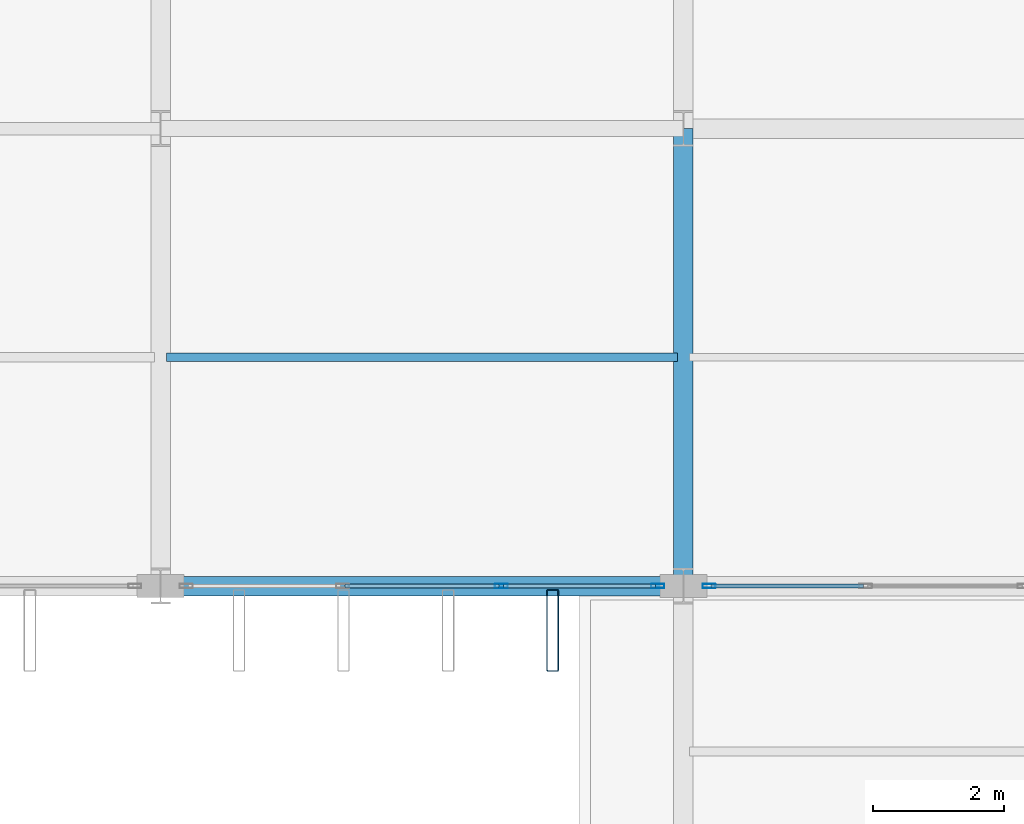
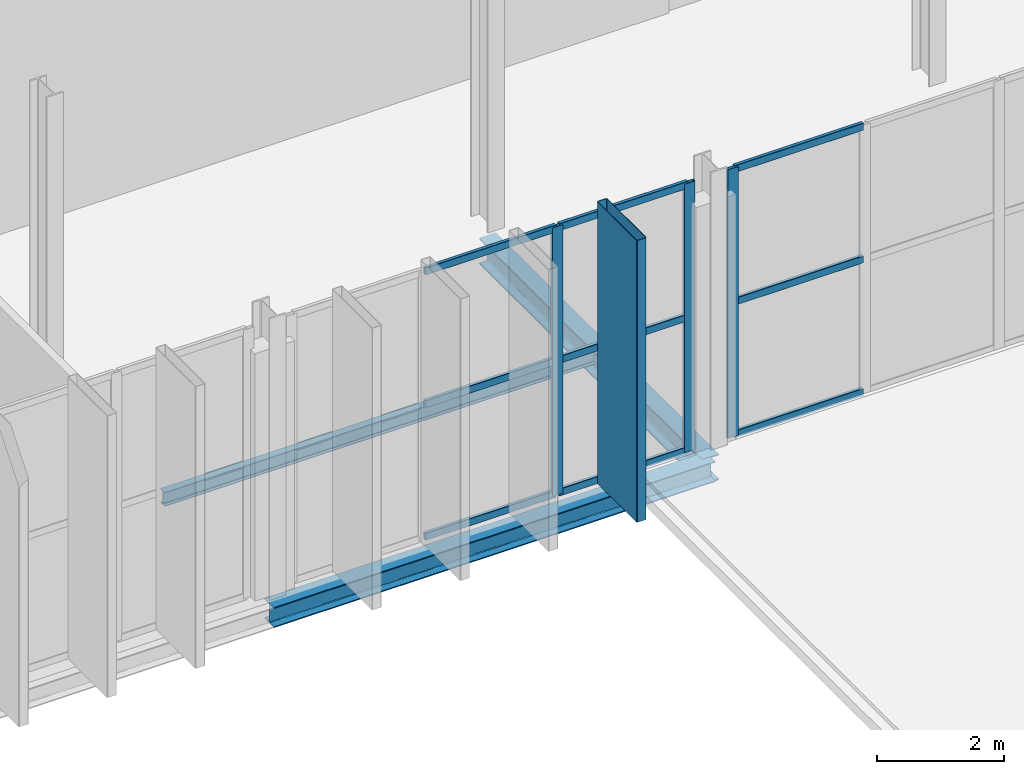
# One storey, part 38 of 147: 13 members, 3 beams, 2 elements without a shape of their own.
"""IFC4 building model written with IfcOpenShell, lengths in metres."""

from ifc_helpers import new_model, si_unit, direction, frame, origin, origin_2d, place, context, subcontext, project, spatial, hollow_rectangle, i_section, extrude, material, layer, layer_set, material_profile, profile_set, type_object, element, aggregate, save


model = new_model("IFC4")

# Units and contexts
model_context = context("Model", 3, precision=1e-05, world=origin(), true_north=direction((0.0, 1.0)))
body_context = subcontext(model_context, "Body", "Model", "MODEL_VIEW")
ifc_project = project(units=[si_unit("LENGTHUNIT", "METRE"), si_unit("AREAUNIT", "SQUARE_METRE"), si_unit("VOLUMEUNIT", "CUBIC_METRE"), si_unit("PLANEANGLEUNIT", "RADIAN"), si_unit("MASSUNIT", "GRAM", prefix="KILO")], contexts=[model_context])

# Site, building, storey
site_placement = place(None, origin())
site = spatial("IfcSite", under=ifc_project, at=site_placement, CompositionType="ELEMENT")
building_placement = place(site_placement, origin())
building = spatial("IfcBuilding", under=site, at=building_placement, Name="Vekula Escarpment Museum", CompositionType="ELEMENT")
storey_placement = place(building_placement, frame((0.0, 0.0, 7.800048828125)))
storey = spatial("IfcBuildingStorey", under=building, at=storey_placement, Name="L02", CompositionType="ELEMENT", Elevation=7.800048828125)

# Beams
ifc_material_1 = material(Name="Steel S355", Category="steel")
ifc_material_profile_1 = material_profile(ifc_material_1, i_section(OverallWidth=0.300048828125, OverallDepth=0.5, WebThickness=0.014404296875, FlangeThickness=0.028076171875, FilletRadius=0.027099609375, at=origin_2d()), Name="HEB 500")
ifc_profile_set_1 = profile_set([ifc_material_profile_1], Name="Steel S355")
beam_type_1 = type_object("IfcBeamType", Name="BM-GIRD-HEB500", PredefinedType="BEAM", material=ifc_profile_set_1)
beam_1_placement = place(storey_placement, frame((94.0, 45.60009765625, -0.510009765625), z_axis=(0.0, 1.0, 0.0), x_axis=(-1.0, 0.0, 0.0)))
element("IfcBeam", 1, at=beam_1_placement, inside=storey, type_object=beam_type_1, Name="Beam Y L02 1158", PredefinedType="BEAM", context=body_context, shape_type="SweptSolid", body=[
    extrude(i_section(OverallWidth=0.300048828125, OverallDepth=0.5, WebThickness=0.014404296875, FlangeThickness=0.028076171875, FilletRadius=0.027099609375, at=origin_2d()), origin(), (0.0, 0.0, 1.0), 7.0),
])
ifc_material_2 = material(Name="Steel S355", Category="steel")
ifc_material_profile_2 = material_profile(ifc_material_2, i_section(OverallWidth=0.135009765625, OverallDepth=0.27001953125, WebThickness=0.006591796875, FlangeThickness=0.01025390625, FilletRadius=0.014892578125, at=origin_2d()), Name="IPE 270")
ifc_profile_set_2 = profile_set([ifc_material_profile_2], Name="Steel S355")
beam_type_2 = type_object("IfcBeamType", Name="BM-JST-IPE270", PredefinedType="JOIST", material=ifc_profile_set_2)
beam_2_placement = place(storey_placement, frame((86.090087890625, 49.10009765625, -0.39501953125), z_axis=(1.0, 0.0, 0.0), x_axis=(0.0, 1.0, 0.0)))
element("IfcBeam", 2, at=beam_2_placement, inside=storey, type_object=beam_type_2, Name="Secondary Joist L02 0757", PredefinedType="JOIST", context=body_context, shape_type="SweptSolid", body=[
    extrude(i_section(OverallWidth=0.135009765625, OverallDepth=0.27001953125, WebThickness=0.006591796875, FlangeThickness=0.01025390625, FilletRadius=0.014892578125, at=origin_2d()), origin(), (0.0, 0.0, 1.0), 7.81982421875),
])
ifc_material_3 = material(Name="Steel S355", Category="steel")
ifc_material_profile_3 = material_profile(ifc_material_3, i_section(OverallWidth=0.300048828125, OverallDepth=0.389892578125, WebThickness=0.010986328125, FlangeThickness=0.01904296875, FilletRadius=0.027099609375, at=origin_2d()), Name="HEA 400")
ifc_profile_set_3 = profile_set([ifc_material_profile_3], Name="Steel S355")
beam_type_3 = type_object("IfcBeamType", Name="BM-SPAN-HEA400", PredefinedType="SPANDREL", material=ifc_profile_set_3)
beam_3_placement = place(storey_placement, frame((86.0, 45.60009765625, -0.455078125), z_axis=(1.0, 0.0, 0.0), x_axis=(0.0, 1.0, 0.0)))
element("IfcBeam", 3, at=beam_3_placement, inside=storey, type_object=beam_type_3, Name="Beam X L02 0846", PredefinedType="SPANDREL", context=body_context, shape_type="SweptSolid", body=[
    extrude(i_section(OverallWidth=0.300048828125, OverallDepth=0.389892578125, WebThickness=0.010986328125, FlangeThickness=0.01904296875, FilletRadius=0.027099609375, at=origin_2d()), origin(), (0.0, 0.0, 1.0), 8.0),
])

# Curtain wall, members
ifc_material_4 = material(Name="Aluminium thermally broken framing", Category="aluminium")
ifc_layer_1 = layer(ifc_material_4, 0.159912109375)
ifc_layer_set_1 = layer_set([ifc_layer_1], Name="Aluminium thermally broken framing")
curtain_wall_type_1 = type_object("IfcCurtainWallType", Name="CW-SYS-05", PredefinedType="NOTDEFINED", material=ifc_layer_set_1)
curtain_wall_1_placement = place(storey_placement, origin())
curtain_wall_1 = element("IfcCurtainWall", 4, at=curtain_wall_1_placement, inside=storey, type_object=curtain_wall_type_1, Name="Curtain Wall CW-L02-055", PredefinedType="NOTDEFINED")
ifc_material_5 = material(Name="Aluminium anodized mullion", Category="aluminium")
ifc_material_profile_4 = material_profile(ifc_material_5, hollow_rectangle(XDim=0.06494140625, YDim=0.199951171875, WallThickness=0.00390625, InnerFilletRadius=0.00390625, OuterFilletRadius=0.008056640625, at=origin_2d()), Name="ALU 200x65x4")
ifc_profile_set_4 = profile_set([ifc_material_profile_4], Name="Aluminium anodized mullion")
member_type_1 = type_object("IfcMemberType", Name="CW-MUL-200", PredefinedType="MULLION", material=ifc_profile_set_4)
member_1_placement = place(storey_placement, frame((91.21337890625, 45.60009765625, 0.0), z_axis=(0.0, 0.0, 1.0), x_axis=(0.0, 1.0, 0.0)))
member_1 = element("IfcMember", 5, at=member_1_placement, type_object=member_type_1, Name="CW-05 mullion 3", PredefinedType="MULLION", context=body_context, shape_type="SweptSolid", body=[
    extrude(hollow_rectangle(XDim=0.06494140625, YDim=0.199951171875, WallThickness=0.00390625, InnerFilletRadius=0.00390625, OuterFilletRadius=0.008056640625, at=origin_2d()), origin(), (0.0, 0.0, 1.0), 5.14990234375),
])
member_2_placement = place(storey_placement, frame((93.607421875, 45.60009765625, 0.0), z_axis=(0.0, 0.0, 1.0), x_axis=(0.0, 1.0, 0.0)))
member_2 = element("IfcMember", 6, at=member_2_placement, type_object=member_type_1, Name="CW-05 mullion 4", PredefinedType="MULLION", context=body_context, shape_type="SweptSolid", body=[
    extrude(hollow_rectangle(XDim=0.06494140625, YDim=0.199951171875, WallThickness=0.00390625, InnerFilletRadius=0.00390625, OuterFilletRadius=0.008056640625, at=origin_2d()), origin(), (0.0, 0.0, 1.0), 5.14990234375),
])

# Curtain wall, member
ifc_material_6 = material(Name="Aluminium thermally broken framing", Category="aluminium")
ifc_layer_2 = layer(ifc_material_6, 0.139892578125)
ifc_layer_set_2 = layer_set([ifc_layer_2], Name="Aluminium thermally broken framing")
curtain_wall_type_2 = type_object("IfcCurtainWallType", Name="CW-SYS-06", PredefinedType="NOTDEFINED", material=ifc_layer_set_2)
curtain_wall_2_placement = place(storey_placement, origin())
curtain_wall_2 = element("IfcCurtainWall", 7, at=curtain_wall_2_placement, inside=storey, type_object=curtain_wall_type_2, Name="Curtain Wall CW-L02-056", PredefinedType="NOTDEFINED")
member_3_placement = place(storey_placement, frame((94.392578125, 45.60009765625, 0.0), z_axis=(0.0, 0.0, 1.0), x_axis=(0.0, 1.0, 0.0)))
member_3 = element("IfcMember", 8, at=member_3_placement, type_object=member_type_1, Name="CW-06 mullion 1", PredefinedType="MULLION", context=body_context, shape_type="SweptSolid", body=[
    extrude(hollow_rectangle(XDim=0.06494140625, YDim=0.199951171875, WallThickness=0.00390625, InnerFilletRadius=0.00390625, OuterFilletRadius=0.008056640625, at=origin_2d()), origin(), (0.0, 0.0, 1.0), 5.14990234375),
])

# Member
ifc_material_7 = material(Name="Aluminium anodized transom", Category="aluminium")
ifc_material_profile_5 = material_profile(ifc_material_7, hollow_rectangle(XDim=0.06494140625, YDim=0.139892578125, WallThickness=0.00390625, InnerFilletRadius=0.00390625, OuterFilletRadius=0.008056640625, at=origin_2d()), Name="ALU 140x65x4")
ifc_profile_set_5 = profile_set([ifc_material_profile_5], Name="Aluminium anodized transom")
member_type_2 = type_object("IfcMemberType", Name="CW-TRN-140", PredefinedType="USERDEFINED", material=ifc_profile_set_5)
member_4_placement = place(storey_placement, frame((88.819091796875, 45.60009765625, 0.032470703125), z_axis=(1.0, 0.0, 0.0), x_axis=(0.0, 1.0, 0.0)))
member_4 = element("IfcMember", 9, at=member_4_placement, type_object=member_type_2, Name="CW-05 transom 2.1", ObjectType="TRANSOM", PredefinedType="USERDEFINED", context=body_context, shape_type="SweptSolid", body=[
    extrude(hollow_rectangle(XDim=0.06494140625, YDim=0.139892578125, WallThickness=0.00390625, InnerFilletRadius=0.00390625, OuterFilletRadius=0.008056640625, at=origin_2d()), origin(), (0.0, 0.0, 1.0), 2.36181640625),
])

member_5_placement = place(storey_placement, frame((88.819091796875, 45.60009765625, 2.574951171875), z_axis=(1.0, 0.0, 0.0), x_axis=(0.0, 1.0, 0.0)))
member_5 = element("IfcMember", 10, at=member_5_placement, type_object=member_type_2, Name="CW-05 transom 2.2", ObjectType="TRANSOM", PredefinedType="USERDEFINED", context=body_context, shape_type="SweptSolid", body=[
    extrude(hollow_rectangle(XDim=0.06494140625, YDim=0.139892578125, WallThickness=0.00390625, InnerFilletRadius=0.00390625, OuterFilletRadius=0.008056640625, at=origin_2d()), origin(), (0.0, 0.0, 1.0), 2.36181640625),
])

member_6_placement = place(storey_placement, frame((88.819091796875, 45.60009765625, 5.117431640625), z_axis=(1.0, 0.0, 0.0), x_axis=(0.0, 1.0, 0.0)))
member_6 = element("IfcMember", 11, at=member_6_placement, type_object=member_type_2, Name="CW-05 transom 2.3", ObjectType="TRANSOM", PredefinedType="USERDEFINED", context=body_context, shape_type="SweptSolid", body=[
    extrude(hollow_rectangle(XDim=0.06494140625, YDim=0.139892578125, WallThickness=0.00390625, InnerFilletRadius=0.00390625, OuterFilletRadius=0.008056640625, at=origin_2d()), origin(), (0.0, 0.0, 1.0), 2.36181640625),
])

member_7_placement = place(storey_placement, frame((91.245849609375, 45.60009765625, 0.032470703125), z_axis=(1.0, 0.0, 0.0), x_axis=(0.0, 1.0, 0.0)))
member_7 = element("IfcMember", 12, at=member_7_placement, type_object=member_type_2, Name="CW-05 transom 3.1", ObjectType="TRANSOM", PredefinedType="USERDEFINED", context=body_context, shape_type="SweptSolid", body=[
    extrude(hollow_rectangle(XDim=0.06494140625, YDim=0.139892578125, WallThickness=0.00390625, InnerFilletRadius=0.00390625, OuterFilletRadius=0.008056640625, at=origin_2d()), origin(), (0.0, 0.0, 1.0), 2.3291015625),
])

member_8_placement = place(storey_placement, frame((91.245849609375, 45.60009765625, 2.574951171875), z_axis=(1.0, 0.0, 0.0), x_axis=(0.0, 1.0, 0.0)))
member_8 = element("IfcMember", 13, at=member_8_placement, type_object=member_type_2, Name="CW-05 transom 3.2", ObjectType="TRANSOM", PredefinedType="USERDEFINED", context=body_context, shape_type="SweptSolid", body=[
    extrude(hollow_rectangle(XDim=0.06494140625, YDim=0.139892578125, WallThickness=0.00390625, InnerFilletRadius=0.00390625, OuterFilletRadius=0.008056640625, at=origin_2d()), origin(), (0.0, 0.0, 1.0), 2.3291015625),
])

member_9_placement = place(storey_placement, frame((91.245849609375, 45.60009765625, 5.117431640625), z_axis=(1.0, 0.0, 0.0), x_axis=(0.0, 1.0, 0.0)))
member_9 = element("IfcMember", 14, at=member_9_placement, type_object=member_type_2, Name="CW-05 transom 3.3", ObjectType="TRANSOM", PredefinedType="USERDEFINED", context=body_context, shape_type="SweptSolid", body=[
    extrude(hollow_rectangle(XDim=0.06494140625, YDim=0.139892578125, WallThickness=0.00390625, InnerFilletRadius=0.00390625, OuterFilletRadius=0.008056640625, at=origin_2d()), origin(), (0.0, 0.0, 1.0), 2.3291015625),
])

aggregate(curtain_wall_1, [member_1, member_2, member_4, member_5, member_6, member_7, member_8, member_9])

member_10_placement = place(storey_placement, frame((94.425048828125, 45.60009765625, 0.032470703125), z_axis=(1.0, 0.0, 0.0), x_axis=(0.0, 1.0, 0.0)))
member_10 = element("IfcMember", 15, at=member_10_placement, type_object=member_type_2, Name="CW-06 transom 1.1", ObjectType="TRANSOM", PredefinedType="USERDEFINED", context=body_context, shape_type="SweptSolid", body=[
    extrude(hollow_rectangle(XDim=0.06494140625, YDim=0.139892578125, WallThickness=0.00390625, InnerFilletRadius=0.00390625, OuterFilletRadius=0.008056640625, at=origin_2d()), origin(), (0.0, 0.0, 1.0), 2.3291015625),
])

member_11_placement = place(storey_placement, frame((94.425048828125, 45.60009765625, 2.574951171875), z_axis=(1.0, 0.0, 0.0), x_axis=(0.0, 1.0, 0.0)))
member_11 = element("IfcMember", 16, at=member_11_placement, type_object=member_type_2, Name="CW-06 transom 1.2", ObjectType="TRANSOM", PredefinedType="USERDEFINED", context=body_context, shape_type="SweptSolid", body=[
    extrude(hollow_rectangle(XDim=0.06494140625, YDim=0.139892578125, WallThickness=0.00390625, InnerFilletRadius=0.00390625, OuterFilletRadius=0.008056640625, at=origin_2d()), origin(), (0.0, 0.0, 1.0), 2.3291015625),
])

member_12_placement = place(storey_placement, frame((94.425048828125, 45.60009765625, 5.117431640625), z_axis=(1.0, 0.0, 0.0), x_axis=(0.0, 1.0, 0.0)))
member_12 = element("IfcMember", 17, at=member_12_placement, type_object=member_type_2, Name="CW-06 transom 1.3", ObjectType="TRANSOM", PredefinedType="USERDEFINED", context=body_context, shape_type="SweptSolid", body=[
    extrude(hollow_rectangle(XDim=0.06494140625, YDim=0.139892578125, WallThickness=0.00390625, InnerFilletRadius=0.00390625, OuterFilletRadius=0.008056640625, at=origin_2d()), origin(), (0.0, 0.0, 1.0), 2.3291015625),
])

aggregate(curtain_wall_2, [member_3, member_10, member_11, member_12])

ifc_material_8 = material(Name="Steel S355 weathered bronze solar fin", Category="steel")
ifc_material_profile_6 = material_profile(ifc_material_8, hollow_rectangle(XDim=0.179931640625, YDim=1.25, WallThickness=0.010009765625, InnerFilletRadius=0.010009765625, OuterFilletRadius=0.02001953125, at=origin_2d()), Name="RHS 1250x180x10")
ifc_profile_set_6 = profile_set([ifc_material_profile_6], Name="Steel S355 weathered bronze solar fin")
member_type_3 = type_object("IfcMemberType", Name="MB-SOLAR-FIN", PredefinedType="USERDEFINED", material=ifc_profile_set_6)
member_13_placement = place(storey_placement, frame((92.0, 44.919921875, 0.0), z_axis=(0.0, 0.0, 1.0), x_axis=(1.0, 0.0, 0.0)))
element("IfcMember", 18, at=member_13_placement, inside=storey, type_object=member_type_3, Name="Great Hall Vertical Solar Fin 0062", ObjectType="SOLAR FIN", PredefinedType="USERDEFINED", context=body_context, shape_type="SweptSolid", body=[
    extrude(hollow_rectangle(XDim=0.179931640625, YDim=1.25, WallThickness=0.010009765625, InnerFilletRadius=0.010009765625, OuterFilletRadius=0.02001953125, at=origin_2d()), origin(), (0.0, 0.0, 1.0), 5.39990234375),
])

save(model, "model.ifc")
